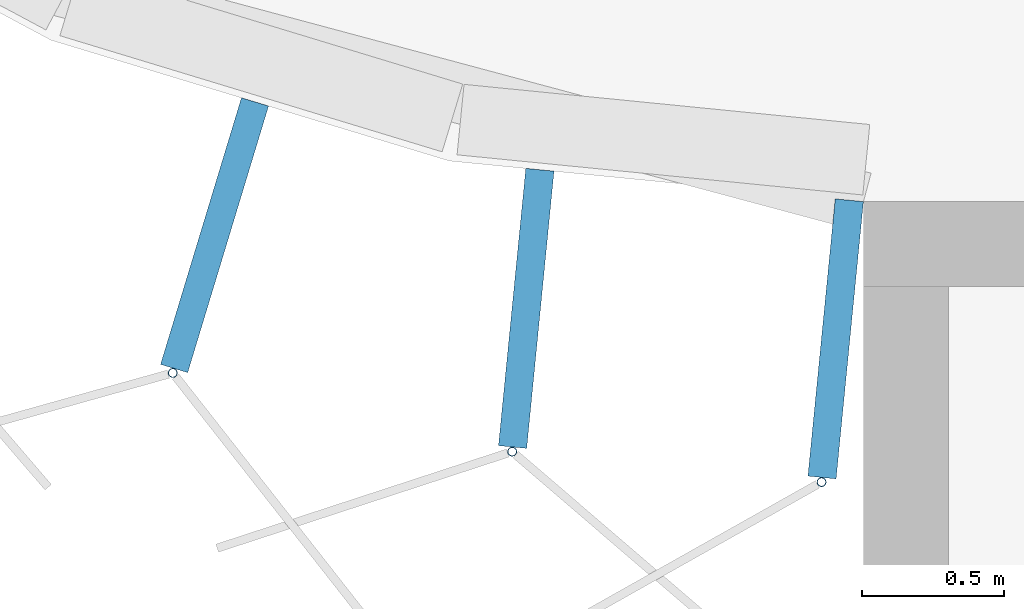
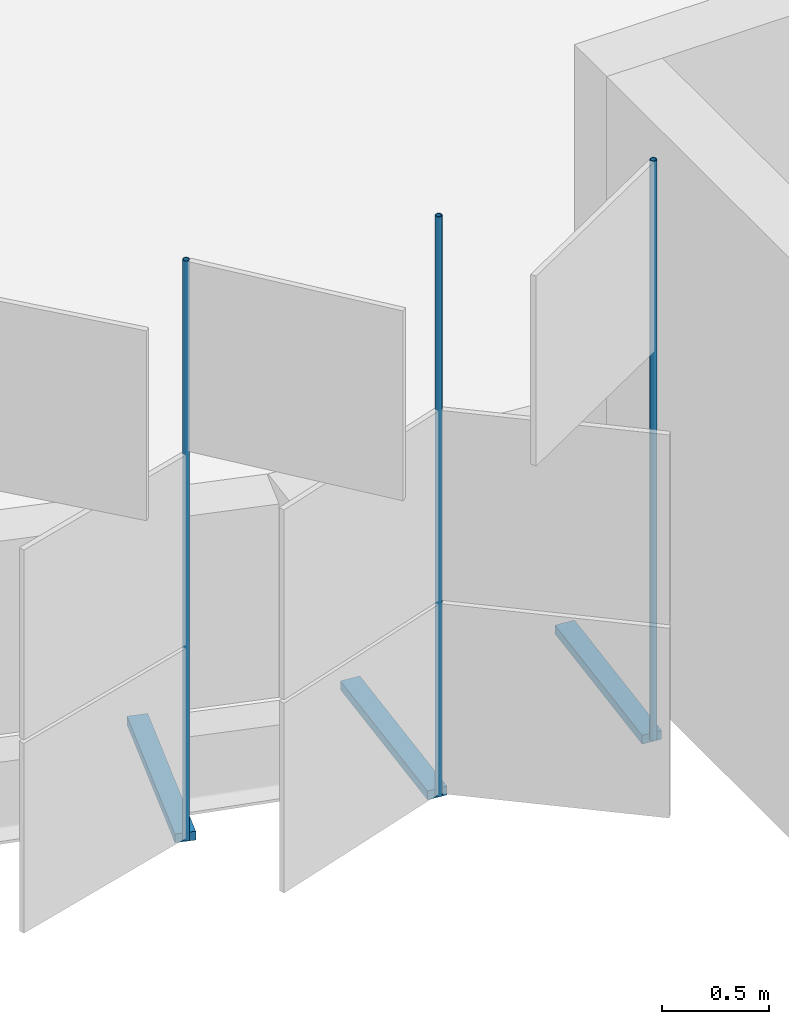
# One storey, part 87 of 198: 6 discrete accessories.
"""IFC4 building model written with IfcOpenShell, lengths in metres."""

import ifcopenshell
import ifcopenshell.guid

model = None  # the IFC model being written
_history = None  # IfcOwnerHistory: only IFC2X3 demands one
_inside = {}  # id of a spatial element -> (the spatial element, [elements in it])
_under = {}  # id of a project, library or spatial element -> (it, [spatial elements below it])
_declared = {}  # id of a project -> (the project, [libraries it declares])
_typed = {}  # id of a type object -> (the type object, [elements of that type])
_made_of = {}  # id of a material, layer set ... -> (it, [elements and type objects made of it])


def new_model(schema):
    """Start an empty IFC model of exactly this schema.

    Asked for "IFC4X3", IfcOpenShell would pick the latest addendum, in which some entities
    have other attributes; the version numbers below select the first issue.
    IFC2X3 requires an IfcOwnerHistory on every rooted entity: one is made here for all.
    """
    global model, _history
    if schema == "IFC4X3":
        model = ifcopenshell.file(schema_version=(4, 3, 0, 0))
    else:
        model = ifcopenshell.file(schema=schema)
    _inside.clear()
    _under.clear()
    _declared.clear()
    _typed.clear()
    _made_of.clear()
    _history = None
    if model.schema == "IFC2X3":
        org = make("IfcOrganization", Name="unknown")
        user = make(
            "IfcPersonAndOrganization",
            ThePerson=make("IfcPerson", FamilyName="unknown"),
            TheOrganization=org,
        )
        app = make(
            "IfcApplication",
            ApplicationDeveloper=org,
            Version="unknown",
            ApplicationFullName="unknown",
            ApplicationIdentifier="unknown",
        )
        _history = make(
            "IfcOwnerHistory",
            OwningUser=user,
            OwningApplication=app,
            ChangeAction="ADDED",
            CreationDate=0,
        )
    return model


def make(cls, **values):
    """One entity of the class cls with the attributes given. An attribute that is None is left unset."""
    return model.create_entity(
        cls, **{name: value for name, value in values.items() if value is not None}
    )


def rooted(cls, **values):
    """An entity with a GlobalId (a new one), such as an element, a storey or a relation."""
    return make(cls, GlobalId=ifcopenshell.guid.new(), OwnerHistory=_history, **values)


def si_unit(unit_type, name, prefix=None):
    """IfcSIUnit, for example si_unit("LENGTHUNIT", "METRE", prefix="MILLI")."""
    return make("IfcSIUnit", UnitType=unit_type, Prefix=prefix, Name=name)


def assignment(units):
    """IfcUnitAssignment: the units of a project."""
    return None if units is None else make("IfcUnitAssignment", Units=units)


def point(xyz):
    """IfcCartesianPoint."""
    return None if xyz is None else make("IfcCartesianPoint", Coordinates=xyz)


def direction(xyz):
    """IfcDirection."""
    return None if xyz is None else make("IfcDirection", DirectionRatios=xyz)


def frame(location, z_axis=None, x_axis=None):
    """IfcAxis2Placement3D, a coordinate frame: its origin and axes. An axis left out is left unset."""
    return make(
        "IfcAxis2Placement3D",
        Location=point(location),
        Axis=direction(z_axis),
        RefDirection=direction(x_axis),
    )


def frame_2d(location, x_axis=None):
    """IfcAxis2Placement2D, a coordinate frame in the plane: its origin and x axis."""
    return make(
        "IfcAxis2Placement2D", Location=point(location), RefDirection=direction(x_axis)
    )


def origin():
    """The frame at (0, 0, 0) with its axes left unset."""
    return frame((0.0, 0.0, 0.0))


def origin_2d():
    """The frame at (0, 0) in the plane with its x axis left unset."""
    return frame_2d((0.0, 0.0))


def place(relative_to, where):
    """IfcLocalPlacement: puts the frame where relative to a parent placement (None: the world)."""
    return make(
        "IfcLocalPlacement", PlacementRelTo=relative_to, RelativePlacement=where
    )


def context(
    kind, dimensions, precision=None, world=None, true_north=None, identifier=None
):
    """IfcGeometricRepresentationContext, for example the 3D "Model" context."""
    return make(
        "IfcGeometricRepresentationContext",
        ContextIdentifier=identifier,
        ContextType=kind,
        CoordinateSpaceDimension=dimensions,
        Precision=precision,
        WorldCoordinateSystem=world,
        TrueNorth=true_north,
    )


def subcontext(parent, identifier, kind, view, scale=None):
    """IfcGeometricRepresentationSubContext, for example "Body" below "Model"."""
    return make(
        "IfcGeometricRepresentationSubContext",
        ContextIdentifier=identifier,
        ContextType=kind,
        ParentContext=parent,
        TargetScale=scale,
        TargetView=view,
    )


def project(units=None, contexts=None):
    """IfcProject with its units and contexts."""
    return rooted(
        "IfcProject",
        Name="project",
        RepresentationContexts=contexts,
        UnitsInContext=assignment(units),
    )


def spatial(cls, under=None, at=None, **own):
    """A site, building, storey or space (cls), placed at a placement, below another one or the project."""
    s = rooted(cls, ObjectPlacement=at, **own)
    if under is not None:
        _under.setdefault(under.id(), (under, []))[1].append(s)
    return s


def profile(cls, at=None, kind="AREA", **sizes):
    """A parametric profile (cls). Its sizes go by their IFC names, for example OverallWidth=200.0."""
    return make(cls, ProfileType=kind, Position=at, **sizes)


def rectangle(**sizes):
    """IfcRectangleProfileDef."""
    return profile("IfcRectangleProfileDef", **sizes)


def hollow_circle(**sizes):
    """IfcCircleHollowProfileDef."""
    return profile("IfcCircleHollowProfileDef", **sizes)


def extrude(swept, where, along, depth):
    """IfcExtrudedAreaSolid: the profile swept, set in the frame where, extruded along a direction by depth."""
    return make(
        "IfcExtrudedAreaSolid",
        SweptArea=swept,
        Position=where,
        ExtrudedDirection=direction(along),
        Depth=depth,
    )


def shape(context_of_items, identifier, shape_type, items):
    """IfcShapeRepresentation: the items that make up one representation, for example the "Body"."""
    return make(
        "IfcShapeRepresentation",
        ContextOfItems=context_of_items,
        RepresentationIdentifier=identifier,
        RepresentationType=shape_type,
        Items=items,
    )


def material(Name=None, Category=None):
    """IfcMaterial."""
    return make("IfcMaterial", Name=Name, Category=Category)


def material_profile(
    of_material, cross_section, Name=None, Category=None, Priority=None
):
    """IfcMaterialProfile: a cross section and its material."""
    return make(
        "IfcMaterialProfile",
        Name=Name,
        Material=of_material,
        Profile=cross_section,
        Priority=Priority,
        Category=Category,
    )


def profile_set(profiles, Name=None, composite=None):
    """IfcMaterialProfileSet."""
    return make(
        "IfcMaterialProfileSet",
        Name=Name,
        MaterialProfiles=profiles,
        CompositeProfile=composite,
    )


def made_of(thing, what):
    """Note that an element or type object is made of a material, layer set ...; save() writes the relation."""
    if what is not None:
        _made_of.setdefault(what.id(), (what, []))[1].append(thing)
    return thing


def type_object(cls, material=None, **own):
    """A type object (cls), such as IfcWallType, which elements share."""
    return made_of(rooted(cls, **own), material)


def element(
    cls,
    number,
    at=None,
    inside=None,
    cuts=None,
    type_object=None,
    material=None,
    context=None,
    identifier="Body",
    shape_type=None,
    held_by="IfcProductDefinitionShape",
    body=None,
    shapes=None,
    **own,
):
    """One element of the class cls, such as IfcWall. Its Tag is "e" and its number.

    at: its placement. inside: the storey or other place that contains it. cuts: it is an
    opening in that element (IfcRelVoidsElement). A single representation is given by context,
    identifier, shape_type and body (its items); several are given by shapes. held_by: the class
    of the entity that holds the representations. save() writes the other relations.
    """
    e = rooted(cls, Tag="e%d" % number, ObjectPlacement=at, **own)
    if body is not None:
        shapes = [shape(context, identifier, shape_type, body)]
    if shapes is not None:
        e.Representation = make(held_by, Representations=shapes)
    if inside is not None:
        _inside.setdefault(inside.id(), (inside, []))[1].append(e)
    if cuts is not None:
        rooted(
            "IfcRelVoidsElement", RelatingBuildingElement=cuts, RelatedOpeningElement=e
        )
    if type_object is not None:
        _typed.setdefault(type_object.id(), (type_object, []))[1].append(e)
    return made_of(e, material)


def aggregate(whole, parts):
    """IfcRelAggregates: a whole, such as a stair, and the parts it consists of."""
    return rooted("IfcRelAggregates", RelatingObject=whole, RelatedObjects=parts)


def save(model, path):
    """Write the relations noted so far, then the file.

    IfcRelAggregates (storeys below a building ...), IfcRelContainedInSpatialStructure (elements
    in a storey), IfcRelDefinesByType, IfcRelAssociatesMaterial and IfcRelDeclares: one each for
    every whole, place, type object, material and project.
    """
    for whole, parts in _under.values():
        aggregate(whole, parts)
    for where, things in _inside.values():
        rooted(
            "IfcRelContainedInSpatialStructure",
            RelatedElements=things,
            RelatingStructure=where,
        )
    for kind, things in _typed.values():
        rooted("IfcRelDefinesByType", RelatedObjects=things, RelatingType=kind)
    for what, things in _made_of.values():
        rooted("IfcRelAssociatesMaterial", RelatedObjects=things, RelatingMaterial=what)
    for by, libraries in _declared.values():
        rooted("IfcRelDeclares", RelatingContext=by, RelatedDefinitions=libraries)
    model.write(path)


model = new_model("IFC4")

# Units and contexts
model_context = context("Model", 3, precision=1e-05, world=origin(), true_north=direction((0.0, 1.0)))
body_context = subcontext(model_context, "Body", "Model", "MODEL_VIEW")
ifc_project = project(units=[si_unit("LENGTHUNIT", "METRE"), si_unit("AREAUNIT", "SQUARE_METRE"), si_unit("VOLUMEUNIT", "CUBIC_METRE"), si_unit("PLANEANGLEUNIT", "RADIAN"), si_unit("MASSUNIT", "GRAM", prefix="KILO")], contexts=[model_context])

# Site, building, storey
site_placement = place(None, origin())
site = spatial("IfcSite", under=ifc_project, at=site_placement, CompositionType="ELEMENT")
building_placement = place(site_placement, origin())
building = spatial("IfcBuilding", under=site, at=building_placement, Name="Parallax Yard Mobility Hub", CompositionType="ELEMENT")
storey_placement = place(building_placement, frame((0.0, 0.0, 6.60009765625)))
storey = spatial("IfcBuildingStorey", under=building, at=storey_placement, Name="L02", CompositionType="ELEMENT", Elevation=6.60009765625)

# Discrete accessories
ifc_material_1 = material(Name="Steel ASTM A36, hot-dip galvanised", Category="steel")
discrete_accessory_type_1 = type_object("IfcDiscreteAccessoryType", Name="Hinge bracket plate 100x50", PredefinedType="BRACKET", material=ifc_material_1)
for number, where, z_axis, x_axis, name in (
    (1, (200.2080078125, 22.3818359375, -0.02490234375), (0.0, 0.0, 1.0), (-0.290284677254, -0.956940335732, 0.0), "Hinge bracket plate bay 30.10 level L02"),
    (2, (201.30908203125, 22.123291015625, -0.02490234375), (0.0, 0.0, 1.0), (-0.09801714033, -0.995184726672, 0.0), "Hinge bracket plate bay 30.11 level L02"),
    (3, (202.402099609375, 22.015625, -0.02490234375), (0.0, 0.0, 1.0), (-0.09801714033, -0.995184726672, 0.0), "Hinge bracket plate bay 30.12 level L02"),
):
    element("IfcDiscreteAccessory", number, at=place(storey_placement, frame(where, z_axis=z_axis, x_axis=x_axis)), inside=storey, type_object=discrete_accessory_type_1, Name=name, PredefinedType="BRACKET", context=body_context, shape_type="SweptSolid", body=[
        extrude(rectangle(XDim=0.984130859375, YDim=0.10009765625, at=origin_2d()), origin(), (0.0, 0.0, 1.0), 0.050048828125),
    ])
ifc_material_2 = material(Name="Steel ASTM A500 Gr C, hot-dip galvanised", Category="steel")
ifc_material_profile = material_profile(ifc_material_2, hollow_circle(Radius=0.016845703125, WallThickness=0.003173828125, at=origin_2d()), Name="CHS 33.7x3.2")
ifc_profile_set = profile_set([ifc_material_profile], Name="Steel ASTM A500 Gr C, hot-dip galvanised")
discrete_accessory_type_2 = type_object("IfcDiscreteAccessoryType", Name="Hinge post CHS 33.7x3.2", PredefinedType="BRACKET", material=ifc_profile_set)
for number, where, z_axis, x_axis, name in (
    (4, (200.060302734375, 21.895263671875, 0.0), (0.0, 0.0, 1.0), (1.0, 0.0, 0.0), "Hinge post bay 30.10 level L02"),
    (5, (201.25927734375, 21.617431640625, 0.0), (0.0, 0.0, 1.0), (1.0, 0.0, 0.0), "Hinge post bay 30.11 level L02"),
    (6, (202.352294921875, 21.509765625, 0.0), (0.0, 0.0, 1.0), (1.0, 0.0, 0.0), "Hinge post bay 30.12 level L02"),
):
    element("IfcDiscreteAccessory", number, at=place(storey_placement, frame(where, z_axis=z_axis, x_axis=x_axis)), inside=storey, type_object=discrete_accessory_type_2, Name=name, PredefinedType="BRACKET", context=body_context, shape_type="SweptSolid", body=[
        extrude(hollow_circle(Radius=0.016845703125, WallThickness=0.003173828125, at=origin_2d()), origin(), (0.0, 0.0, 1.0), 3.2998046875),
    ])

save(model, "model.ifc")
